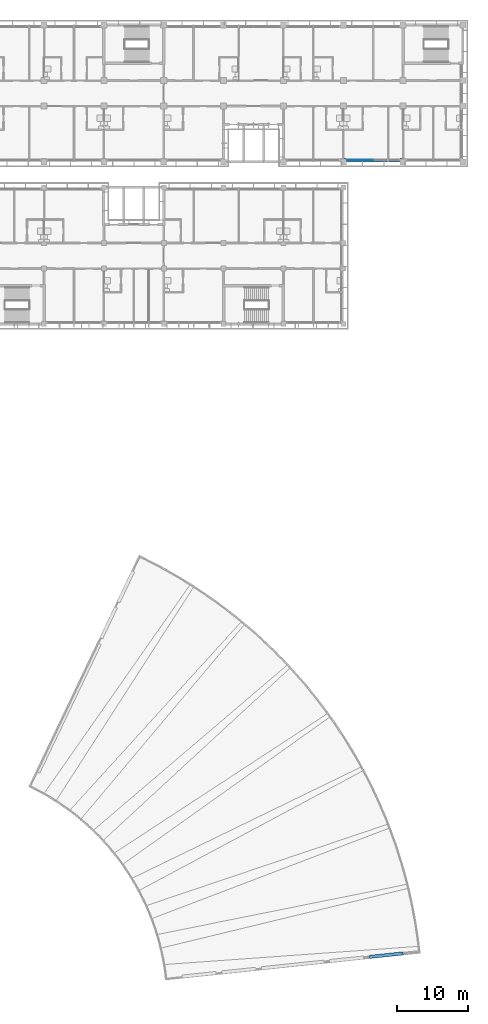
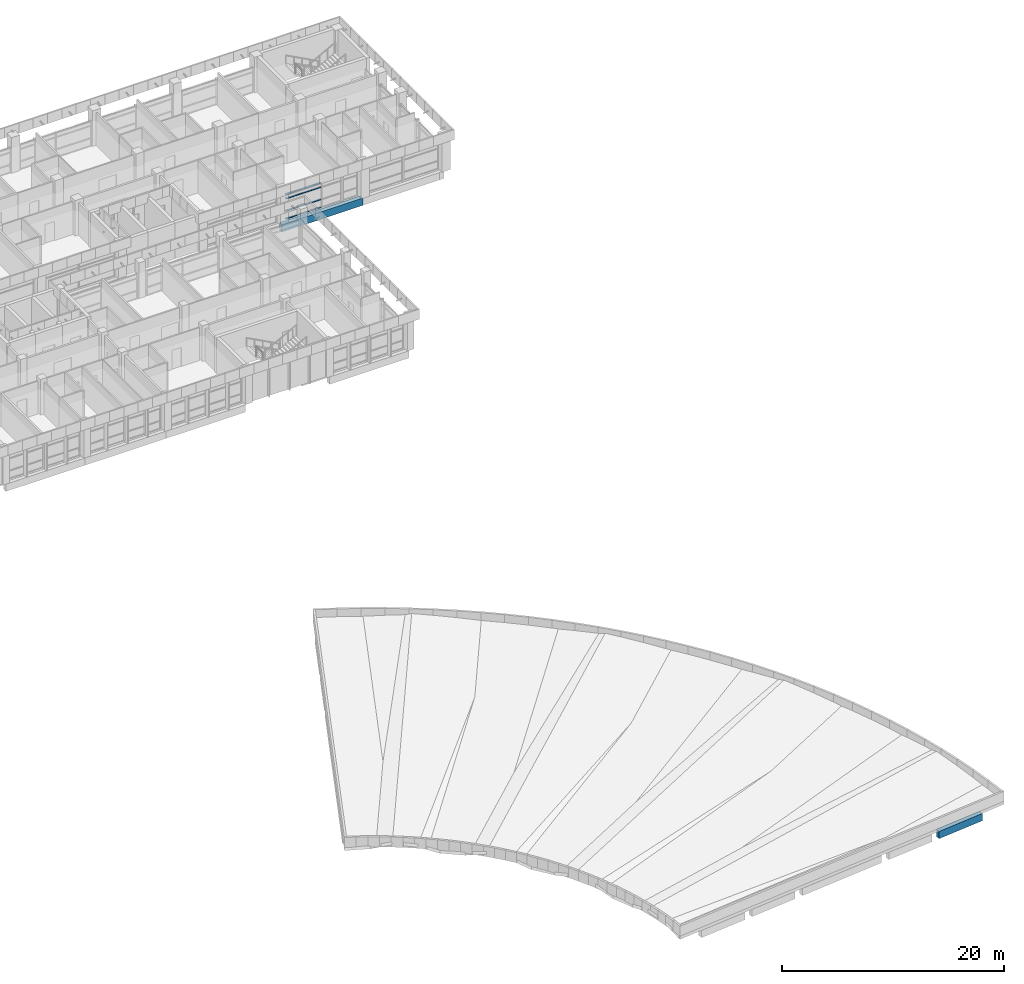
# One storey, part 14 of 74: 4 members, 2 beams, 1 element without a shape of its own.
"""IFC4 building model written with IfcOpenShell, lengths in metres."""

from ifc_helpers import new_model, si_unit, direction, frame, origin, origin_2d, place, context, subcontext, project, spatial, rectangle, extrude, material, material_profile, profile_set, type_object, element, aggregate, save


model = new_model("IFC4")

# Units and contexts
model_context = context("Model", 3, precision=1e-05, world=origin(), true_north=direction((0.0, 1.0)))
body_context = subcontext(model_context, "Body", "Model", "MODEL_VIEW")
ifc_project = project(units=[si_unit("LENGTHUNIT", "METRE"), si_unit("AREAUNIT", "SQUARE_METRE"), si_unit("VOLUMEUNIT", "CUBIC_METRE"), si_unit("PLANEANGLEUNIT", "RADIAN"), si_unit("MASSUNIT", "GRAM", prefix="KILO")], contexts=[model_context])

# Site, building, storey
site_placement = place(None, origin())
site = spatial("IfcSite", under=ifc_project, at=site_placement, CompositionType="ELEMENT")
building_placement = place(site_placement, origin())
building = spatial("IfcBuilding", under=site, at=building_placement, Name="Bougainvillea Quay General Hospital", CompositionType="ELEMENT")
storey_placement = place(building_placement, frame((0.0, 0.0, 21.0)))
storey = spatial("IfcBuildingStorey", under=building, at=storey_placement, Name="L04", CompositionType="ELEMENT", Elevation=21.0)

# Curtain wall, members
ifc_material_1 = material(Name="Aluminium curtain wall system, powder-coated glazed", Category="aluminium")
curtain_wall_type = type_object("IfcCurtainWallType", Name="Unitised curtain wall CW-3730", PredefinedType="NOTDEFINED", material=ifc_material_1)
curtain_wall_placement = place(storey_placement, origin())
curtain_wall = element("IfcCurtainWall", 1, at=curtain_wall_placement, inside=storey, type_object=curtain_wall_type, Name="CW-4200 01", PredefinedType="NOTDEFINED")
ifc_material_2 = material(Name="Aluminium transom, powder-coated charcoal", Category="aluminium")
ifc_material_profile_1 = material_profile(ifc_material_2, rectangle(XDim=0.1201171875, YDim=0.06005859375, at=origin_2d()))
ifc_profile_set_1 = profile_set([ifc_material_profile_1], Name="Aluminium transom, powder-coated charcoal")
member_type = type_object("IfcMemberType", Name="Curtain wall transom 120x60", PredefinedType="USERDEFINED", material=ifc_profile_set_1)
member_1_placement = place(storey_placement, frame((168.530029296875, 140.64990234375, 0.030029296875), z_axis=(1.0, 0.0, 0.0), x_axis=(0.0, 1.0, 0.0)))
member_1 = element("IfcMember", 2, at=member_1_placement, type_object=member_type, Name="CW-4200 transom 1.1", ObjectType="TRANSOM", PredefinedType="USERDEFINED", context=body_context, shape_type="SweptSolid", body=[
    extrude(rectangle(XDim=0.1201171875, YDim=0.06005859375, at=origin_2d()), origin(), (0.0, 0.0, 1.0), 3.639892578125),
])
member_2_placement = place(storey_placement, frame((168.530029296875, 140.64990234375, 0.89990234375), z_axis=(1.0, 0.0, 0.0), x_axis=(0.0, 1.0, 0.0)))
member_2 = element("IfcMember", 3, at=member_2_placement, type_object=member_type, Name="CW-4200 transom 1.2", ObjectType="TRANSOM", PredefinedType="USERDEFINED", context=body_context, shape_type="SweptSolid", body=[
    extrude(rectangle(XDim=0.1201171875, YDim=0.06005859375, at=origin_2d()), origin(), (0.0, 0.0, 1.0), 3.639892578125),
])
member_3_placement = place(storey_placement, frame((168.530029296875, 140.64990234375, 2.25), z_axis=(1.0, 0.0, 0.0), x_axis=(0.0, 1.0, 0.0)))
member_3 = element("IfcMember", 4, at=member_3_placement, type_object=member_type, Name="CW-4200 transom 1.3", ObjectType="TRANSOM", PredefinedType="USERDEFINED", context=body_context, shape_type="SweptSolid", body=[
    extrude(rectangle(XDim=0.1201171875, YDim=0.06005859375, at=origin_2d()), origin(), (0.0, 0.0, 1.0), 3.639892578125),
])
member_4_placement = place(storey_placement, frame((168.530029296875, 140.64990234375, 2.719970703125), z_axis=(1.0, 0.0, 0.0), x_axis=(0.0, 1.0, 0.0)))
member_4 = element("IfcMember", 5, at=member_4_placement, type_object=member_type, Name="CW-4200 transom 1.4", ObjectType="TRANSOM", PredefinedType="USERDEFINED", context=body_context, shape_type="SweptSolid", body=[
    extrude(rectangle(XDim=0.1201171875, YDim=0.06005859375, at=origin_2d()), origin(), (0.0, 0.0, 1.0), 3.639892578125),
])
aggregate(curtain_wall, [member_1, member_2, member_3, member_4])

# Beams
ifc_material_3 = material(Name="Concrete C40", Category="concrete")
ifc_material_profile_2 = material_profile(ifc_material_3, rectangle(XDim=0.449951171875, YDim=0.800048828125, at=origin_2d()))
ifc_profile_set_2 = profile_set([ifc_material_profile_2], Name="Concrete C40")
beam_type = type_object("IfcBeamType", Name="RC BEAM 450x800 C40", PredefinedType="BEAM", material=ifc_profile_set_2)
beam_1_placement = place(storey_placement, frame((168.0, 140.625, -0.699951171875), z_axis=(1.0, 0.0, 0.0), x_axis=(0.0, 1.0, 0.0)))
element("IfcBeam", 6, at=beam_1_placement, inside=storey, type_object=beam_type, Name="Edge beam L04", PredefinedType="BEAM", context=body_context, shape_type="SweptSolid", body=[
    extrude(rectangle(XDim=0.449951171875, YDim=0.800048828125, at=origin_2d()), origin(), (0.0, 0.0, 1.0), 8.39990234375),
])
beam_2_placement = place(storey_placement, frame((176.40625, 29.289794921875, -0.7412109375), z_axis=(-0.994521838518, -0.104528558621, -0.000305192872), x_axis=(0.104528563489, -0.994521884835, 0.0)))
element("IfcBeam", 7, at=beam_2_placement, inside=storey, type_object=beam_type, Name="Edge beam L04", PredefinedType="BEAM", context=body_context, shape_type="SweptSolid", body=[
    extrude(rectangle(XDim=0.449951171875, YDim=0.800048828125, at=origin_2d()), origin(), (0.0, 0.0, 1.0), 4.7998046875),
])

save(model, "model.ifc")
